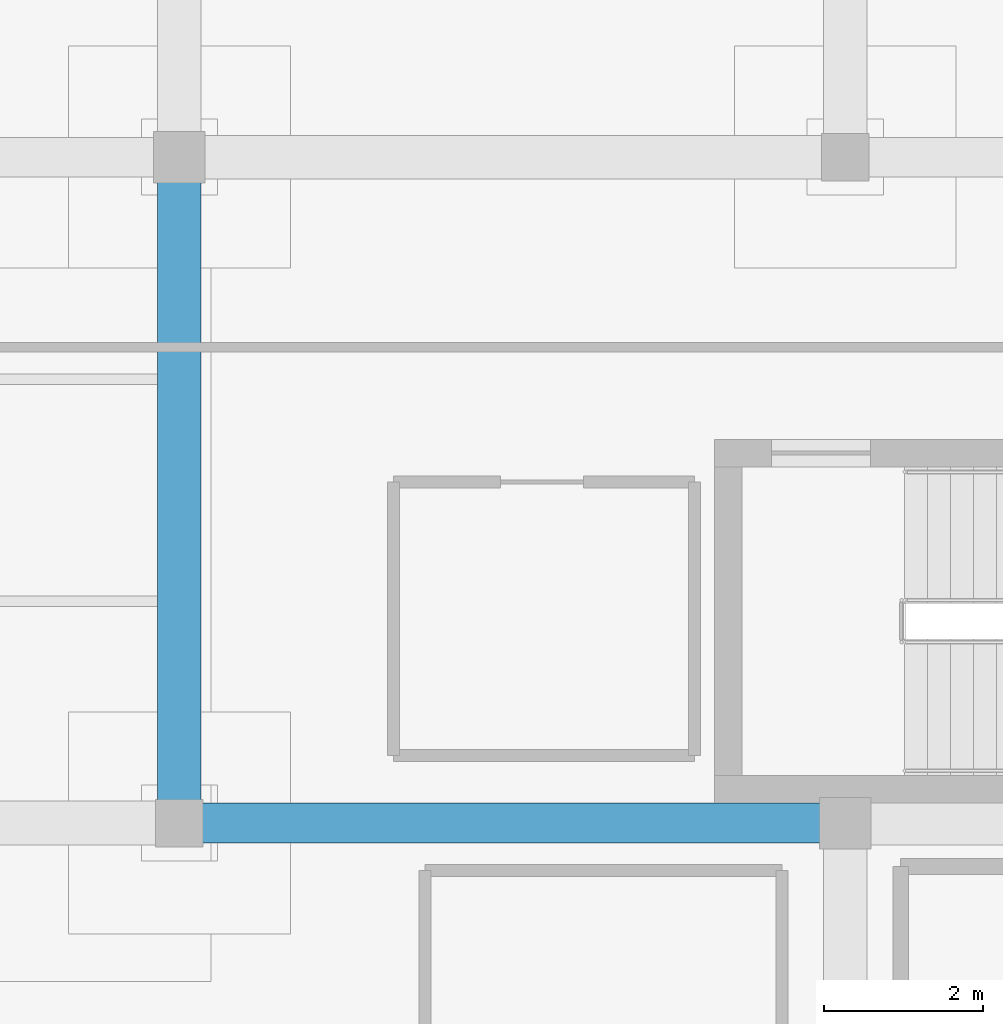
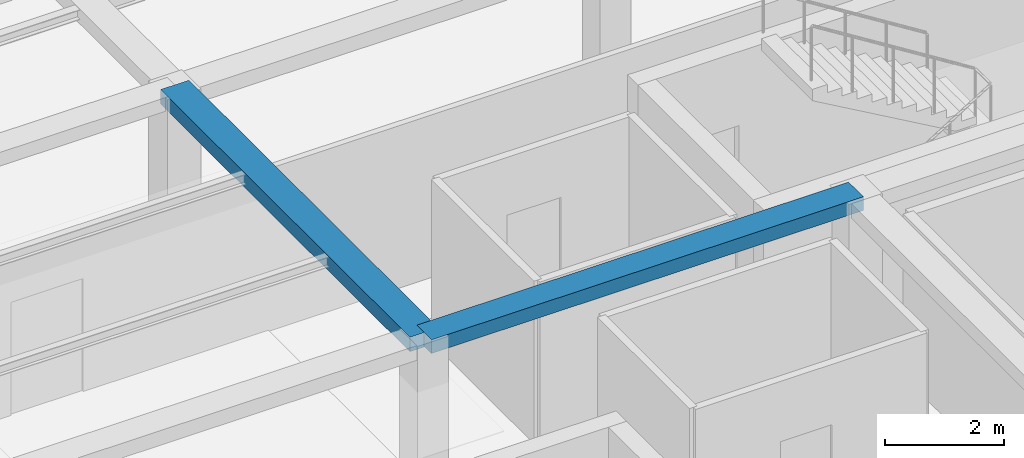
# One storey, part 10 of 26: 2 beams.
"""IFC4 building model written with IfcOpenShell, lengths in metres."""

from ifc_helpers import new_model, si_unit, direction, frame, origin, origin_2d, place, context, subcontext, project, spatial, rectangle, extrude, material, material_profile, profile_set, type_object, element, save


model = new_model("IFC4")

# Units and contexts
model_context = context("Model", 3, precision=1e-05, world=origin(), true_north=direction((0.0, 1.0)))
body_context = subcontext(model_context, "Body", "Model", "MODEL_VIEW")
ifc_project = project(units=[si_unit("LENGTHUNIT", "METRE"), si_unit("AREAUNIT", "SQUARE_METRE"), si_unit("VOLUMEUNIT", "CUBIC_METRE"), si_unit("PLANEANGLEUNIT", "RADIAN"), si_unit("MASSUNIT", "GRAM", prefix="KILO")], contexts=[model_context])

# Site, building, storey
site_placement = place(None, origin())
site = spatial("IfcSite", under=ifc_project, at=site_placement, CompositionType="ELEMENT")
building_placement = place(site_placement, origin())
building = spatial("IfcBuilding", under=site, at=building_placement, Name="Almacenes y Pasaje Nevantli", CompositionType="ELEMENT")
storey_placement = place(building_placement, frame((0.0, 0.0, 46.699951171875)))
storey = spatial("IfcBuildingStorey", under=building, at=storey_placement, Name="L11", CompositionType="ELEMENT", Elevation=46.699951171875)

# Beams
ifc_material_1 = material(Name="Concrete C35/45", Category="concrete")
ifc_material_profile_1 = material_profile(ifc_material_1, rectangle(XDim=0.5, YDim=0.280029296875, at=origin_2d()), Name="RC-BM-500x280")
ifc_profile_set_1 = profile_set([ifc_material_profile_1], Name="Concrete C35/45")
beam_type_1 = type_object("IfcBeamType", Name="BM-RC-500x280", PredefinedType="BEAM", material=ifc_profile_set_1)
beam_1_placement = place(storey_placement, frame((126.0, 84.0, 3.580078125), z_axis=(1.0, 0.0, 0.0), x_axis=(0.0, 1.0, 0.0)))
element("IfcBeam", 1, at=beam_1_placement, inside=storey, type_object=beam_type_1, Name="L11 East-West Reinforced Concrete Beam #3855", PredefinedType="BEAM", context=body_context, shape_type="SweptSolid", body=[
    extrude(rectangle(XDim=0.5, YDim=0.280029296875, at=origin_2d()), origin(), (0.0, 0.0, 1.0), 8.39990234375),
])
ifc_material_2 = material(Name="Concrete C35/45", Category="concrete")
ifc_material_profile_2 = material_profile(ifc_material_2, rectangle(XDim=0.550048828125, YDim=0.300048828125, at=origin_2d()), Name="RC-BM-550x300")
ifc_profile_set_2 = profile_set([ifc_material_profile_2], Name="Concrete C35/45")
beam_type_2 = type_object("IfcBeamType", Name="BM-RC-550x300", PredefinedType="BEAM", material=ifc_profile_set_2)
beam_2_placement = place(storey_placement, frame((126.0, 84.0, 3.570068359375), z_axis=(0.0, 1.0, 0.0), x_axis=(-1.0, 0.0, 0.0)))
element("IfcBeam", 2, at=beam_2_placement, inside=storey, type_object=beam_type_2, Name="L11 North-South Reinforced Concrete Beam #3874", PredefinedType="BEAM", context=body_context, shape_type="SweptSolid", body=[
    extrude(rectangle(XDim=0.550048828125, YDim=0.300048828125, at=origin_2d()), origin(), (0.0, 0.0, 1.0), 8.39990234375),
])

save(model, "model.ifc")
